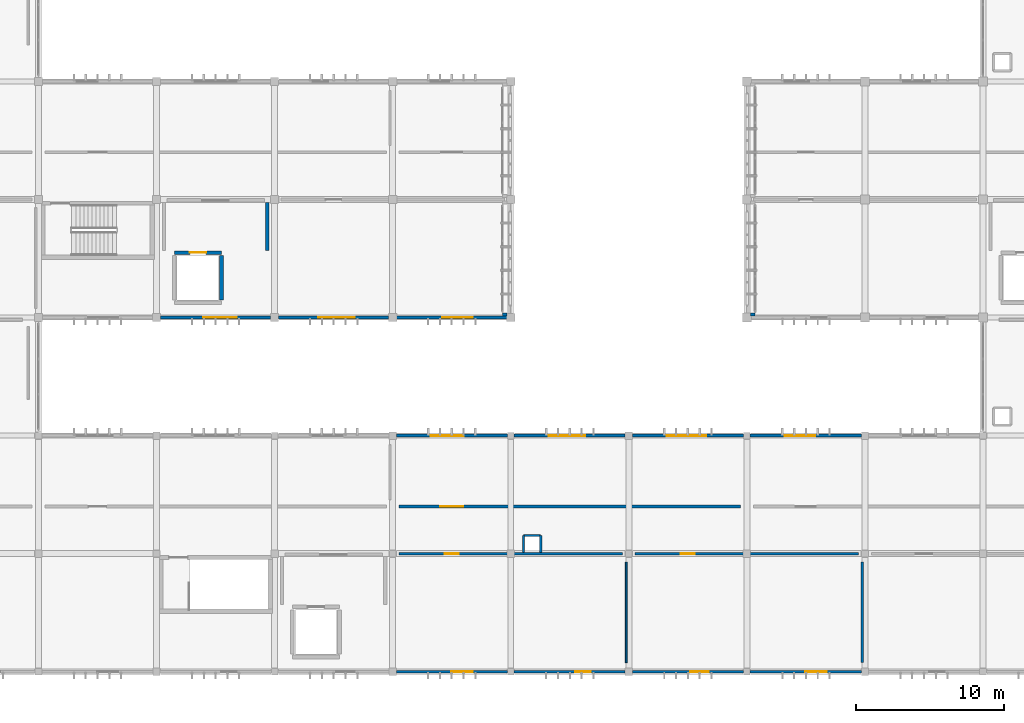
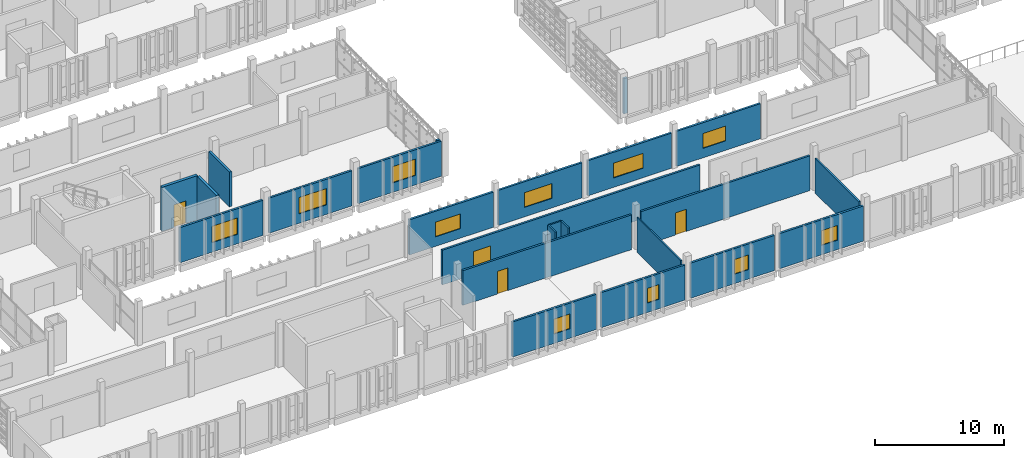
# One storey, part 47 of 63: 24 walls, 11 windows, 4 doors, 15 openings.
"""IFC4 building model written with IfcOpenShell, lengths in metres."""

from ifc_helpers import new_model, si_unit, direction, frame, frame_2d, origin, place, context, subcontext, project, spatial, rectangle, extrude, material, layer, layer_set, type_object, element, fill, save


model = new_model("IFC4")

# Units and contexts
model_context = context("Model", 3, precision=1e-05, world=origin(), true_north=direction((0.0, 1.0)))
body_context = subcontext(model_context, "Body", "Model", "MODEL_VIEW")
ifc_project = project(units=[si_unit("LENGTHUNIT", "METRE"), si_unit("AREAUNIT", "SQUARE_METRE"), si_unit("VOLUMEUNIT", "CUBIC_METRE"), si_unit("PLANEANGLEUNIT", "RADIAN"), si_unit("MASSUNIT", "GRAM", prefix="KILO")], contexts=[model_context])

# Site, building, storey
site_placement = place(None, origin())
site = spatial("IfcSite", under=ifc_project, at=site_placement, CompositionType="ELEMENT")
building_placement = place(site_placement, origin())
building = spatial("IfcBuilding", under=site, at=building_placement, Name="Jelvoka-Kovrelna Polytechnic", CompositionType="ELEMENT")
storey_placement = place(building_placement, frame((0.0, 0.0, 18.0)))
storey = spatial("IfcBuildingStorey", under=building, at=storey_placement, Name="L05", CompositionType="ELEMENT", Elevation=18.0)

# Wall
ifc_material_1 = material(Name="Concrete C35/45", Category="concrete")
ifc_layer_1 = layer(ifc_material_1, 0.219970703125)
ifc_layer_set_1 = layer_set([ifc_layer_1], Name="Concrete C35/45")
wall_type_1 = type_object("IfcWallType", Name="Wall_Compartment_220", PredefinedType="PARTITIONING", material=ifc_layer_set_1)
wall_1_placement = place(storey_placement, frame((95.5, 36.550048828125, 0.0), z_axis=(0.0, 0.0, 1.0), x_axis=(0.0, 1.0, 0.0)))
element("IfcWall", 1, at=wall_1_placement, inside=storey, type_object=wall_type_1, Name="L05 interior wall 0440", PredefinedType="PARTITIONING", context=body_context, shape_type="SweptSolid", body=[
    extrude(rectangle(XDim=3.25, YDim=0.219970703125, at=frame_2d((1.625, 0.0))), origin(), (0.0, 0.0, 1.0), 3.300048828125),
])

# Wall, opening, door
ifc_material_2 = material(Name="Concrete C40/50", Category="concrete")
ifc_layer_2 = layer(ifc_material_2, 0.25)
ifc_layer_set_2 = layer_set([ifc_layer_2], Name="Concrete C40/50")
wall_type_2 = type_object("IfcWallType", Name="Wall_Core_250", PredefinedType="SOLIDWALL", material=ifc_layer_set_2)
wall_2_placement = place(storey_placement, frame((89.199951171875, 36.39990234375, 0.0), z_axis=(0.0, 0.0, 1.0), x_axis=(1.0, 0.0, 0.0)))
wall_2 = element("IfcWall", 2, at=wall_2_placement, inside=storey, type_object=wall_type_2, Name="L05 interior wall 0435", PredefinedType="SOLIDWALL", context=body_context, shape_type="SweptSolid", body=[
    extrude(rectangle(XDim=3.199951171875, YDim=0.25, at=frame_2d((1.60009765625, 0.0))), origin(), (0.0, 0.0, 1.0), 4.199951171875),
])
opening_1_placement = place(wall_2_placement, frame((1.050048828125, 0.0, 0.0)))
opening_1 = element("IfcOpeningElement", 3, at=opening_1_placement, cuts=wall_2, Name="Opening LD-L05-24", PredefinedType="OPENING", context=body_context, shape_type="SweptSolid", body=[
    extrude(rectangle(XDim=1.10009765625, YDim=2.14990234375, at=frame_2d((0.550048828125, 1.074951171875))), frame((0.0, 0.135009765625, 0.0), z_axis=(0.0, -1.0, 0.0), x_axis=(1.0, 0.0, 0.0)), (0.0, 0.0, 1.0), 0.27001953125),
])
ifc_material_3 = material(Name="Brushed stainless steel sliding landing door", Category="steel")
door_type_1 = type_object("IfcDoorType", Name="Door_Lift_LD01", OperationType="NOTDEFINED", PredefinedType="DOOR", material=ifc_material_3)
door_1_placement = place(opening_1_placement, origin())
door_1 = element("IfcDoor", 4, at=door_1_placement, inside=storey, type_object=door_type_1, Name="L05 lift landing sliding door LD-L05-24", OperationType="DOUBLE_DOOR_SLIDING", OverallHeight=2.14990234375, OverallWidth=1.10009765625, PredefinedType="DOOR", context=body_context, shape_type="SweptSolid", body=[
    extrude(rectangle(XDim=1.10009765625, YDim=2.14990234375, at=frame_2d((0.550048828125, 1.074951171875))), frame((0.0, 0.02490234375, 0.0), z_axis=(0.0, -1.0, 0.0), x_axis=(1.0, 0.0, 0.0)), (0.0, 0.0, 1.0), 0.050048828125),
])
fill(opening_1, door_1)

# Wall
wall_3_placement = place(storey_placement, frame((92.39990234375, 33.199951171875, 0.0), z_axis=(0.0, 0.0, 1.0), x_axis=(0.0, 1.0, 0.0)))
element("IfcWall", 5, at=wall_3_placement, inside=storey, type_object=wall_type_2, Name="L05 interior wall 0437", PredefinedType="SOLIDWALL", context=body_context, shape_type="SweptSolid", body=[
    extrude(rectangle(XDim=3.0, YDim=0.25, at=frame_2d((1.5, 0.0))), origin(), (0.0, 0.0, 1.0), 4.199951171875),
])

# Wall, opening, door
ifc_material_4 = material(Name="Autoclaved aerated concrete blockwork", Category="masonry")
ifc_layer_3 = layer(ifc_material_4, 0.179931640625)
ifc_layer_set_3 = layer_set([ifc_layer_3], Name="Autoclaved aerated concrete blockwork")
wall_type_3 = type_object("IfcWallType", Name="Wall_Corridor_180", PredefinedType="PARTITIONING", material=ifc_layer_set_3)
wall_4_placement = place(storey_placement, frame((104.429931640625, 16.0, 0.0), z_axis=(0.0, 0.0, 1.0), x_axis=(1.0, 0.0, 0.0)))
wall_4 = element("IfcWall", 6, at=wall_4_placement, inside=storey, type_object=wall_type_3, Name="L05 interior wall 1178", PredefinedType="PARTITIONING", context=body_context, shape_type="SweptSolid", body=[
    extrude(rectangle(XDim=15.14013671875, YDim=0.179931640625, at=frame_2d((7.570068359375, 0.0))), origin(), (0.0, 0.0, 1.0), 3.300048828125),
])
opening_2_placement = place(wall_4_placement, frame((3.110107421875, 0.0, 0.0)))
opening_2 = element("IfcOpeningElement", 7, at=opening_2_placement, cuts=wall_4, Name="Opening D-L05-374", PredefinedType="OPENING", context=body_context, shape_type="SweptSolid", body=[
    extrude(rectangle(XDim=0.919921875, YDim=2.14990234375, at=frame_2d((0.4599609375, 1.074951171875))), frame((0.0, 0.099853515625, 0.0), z_axis=(0.0, -1.0, 0.0), x_axis=(1.0, 0.0, 0.0)), (0.0, 0.0, 1.0), 0.199951171875),
])
ifc_material_5 = material(Name="Hardwood solid-core door", Category="wood")
door_type_2 = type_object("IfcDoorType", Name="Door_Int_D06", OperationType="NOTDEFINED", PredefinedType="DOOR", material=ifc_material_5)
door_2_placement = place(opening_2_placement, origin())
door_2 = element("IfcDoor", 8, at=door_2_placement, inside=storey, type_object=door_type_2, Name="L05 interior door D-L05-374", OperationType="SINGLE_SWING_LEFT", OverallHeight=2.14990234375, OverallWidth=0.919921875, PredefinedType="DOOR", context=body_context, shape_type="SweptSolid", body=[
    extrude(rectangle(XDim=0.919921875, YDim=2.14990234375, at=frame_2d((0.4599609375, 1.074951171875))), frame((0.0, 0.02490234375, 0.0), z_axis=(0.0, -1.0, 0.0), x_axis=(1.0, 0.0, 0.0)), (0.0, 0.0, 1.0), 0.050048828125),
])
fill(opening_2, door_2)

wall_5_placement = place(storey_placement, frame((120.429931640625, 16.0, 0.0), z_axis=(0.0, 0.0, 1.0), x_axis=(1.0, 0.0, 0.0)))
wall_5 = element("IfcWall", 9, at=wall_5_placement, inside=storey, type_object=wall_type_3, Name="L05 interior wall 1180", PredefinedType="PARTITIONING", context=body_context, shape_type="SweptSolid", body=[
    extrude(rectangle(XDim=15.14013671875, YDim=0.179931640625, at=frame_2d((7.570068359375, 0.0))), origin(), (0.0, 0.0, 1.0), 3.300048828125),
])
opening_3_placement = place(wall_5_placement, frame((3.094970703125, 0.0, 0.0)))
opening_3 = element("IfcOpeningElement", 10, at=opening_3_placement, cuts=wall_5, Name="Opening D-L05-375", PredefinedType="OPENING", context=body_context, shape_type="SweptSolid", body=[
    extrude(rectangle(XDim=0.949951171875, YDim=2.10009765625, at=frame_2d((0.47509765625, 1.050048828125))), frame((0.0, 0.099853515625, 0.0), z_axis=(0.0, -1.0, 0.0), x_axis=(1.0, 0.0, 0.0)), (0.0, 0.0, 1.0), 0.199951171875),
])
ifc_material_6 = material(Name="Hardwood fire-resisting laboratory door", Category="wood")
door_type_3 = type_object("IfcDoorType", Name="Door_Fire_FD30_01", OperationType="NOTDEFINED", PredefinedType="DOOR", material=ifc_material_6)
door_3_placement = place(opening_3_placement, origin())
door_3 = element("IfcDoor", 11, at=door_3_placement, inside=storey, type_object=door_type_3, Name="L05 interior door D-L05-375", OperationType="SINGLE_SWING_RIGHT", OverallHeight=2.10009765625, OverallWidth=0.949951171875, PredefinedType="DOOR", context=body_context, shape_type="SweptSolid", body=[
    extrude(rectangle(XDim=0.949951171875, YDim=2.10009765625, at=frame_2d((0.47509765625, 1.050048828125))), frame((0.0, 0.02490234375, 0.0), z_axis=(0.0, -1.0, 0.0), x_axis=(1.0, 0.0, 0.0)), (0.0, 0.0, 1.0), 0.050048828125),
])
fill(opening_3, door_3)

wall_6_placement = place(storey_placement, frame((104.429931640625, 19.199951171875, 0.0), z_axis=(0.0, 0.0, 1.0), x_axis=(1.0, 0.0, 0.0)))
wall_6 = element("IfcWall", 12, at=wall_6_placement, inside=storey, type_object=wall_type_3, Name="L05 interior wall 1186", PredefinedType="PARTITIONING", context=body_context, shape_type="SweptSolid", body=[
    extrude(rectangle(XDim=23.14013671875, YDim=0.179931640625, at=frame_2d((11.570068359375, 0.0))), origin(), (0.0, 0.0, 1.0), 3.300048828125),
])
opening_4_placement = place(wall_6_placement, frame((2.800048828125, 0.0, 0.0)))
opening_4 = element("IfcOpeningElement", 13, at=opening_4_placement, cuts=wall_6, Name="Opening D-L05-379", PredefinedType="OPENING", context=body_context, shape_type="SweptSolid", body=[
    extrude(rectangle(XDim=1.5400390625, YDim=2.199951171875, at=frame_2d((0.77001953125, 1.10009765625))), frame((0.0, 0.099853515625, 0.0), z_axis=(0.0, -1.0, 0.0), x_axis=(1.0, 0.0, 0.0)), (0.0, 0.0, 1.0), 0.199951171875),
])
ifc_material_7 = material(Name="Paired hardwood fire-resisting library door", Category="wood")
door_type_4 = type_object("IfcDoorType", Name="Door_Fire_FD30_07", OperationType="NOTDEFINED", PredefinedType="DOOR", material=ifc_material_7)
door_4_placement = place(opening_4_placement, origin())
door_4 = element("IfcDoor", 14, at=door_4_placement, inside=storey, type_object=door_type_4, Name="L05 interior door D-L05-379", OperationType="DOUBLE_DOOR_SINGLE_SWING", OverallHeight=2.199951171875, OverallWidth=1.5400390625, PredefinedType="DOOR", context=body_context, shape_type="SweptSolid", body=[
    extrude(rectangle(XDim=1.5400390625, YDim=2.199951171875, at=frame_2d((0.77001953125, 1.10009765625))), frame((0.0, 0.02490234375, 0.0), z_axis=(0.0, -1.0, 0.0), x_axis=(1.0, 0.0, 0.0)), (0.0, 0.0, 1.0), 0.050048828125),
])
fill(opening_4, door_4)

# Wall, opening, window
ifc_material_8 = material(Name="Precast concrete C40/50", Category="concrete")
ifc_layer_4 = layer(ifc_material_8, 0.18505859375)
ifc_layer_set_4 = layer_set([ifc_layer_4], Name="Precast concrete C40/50")
wall_type_4 = type_object("IfcWallType", Name="Wall_Ext_White_260", PredefinedType="STANDARD", material=ifc_layer_set_4)
wall_7_placement = place(storey_placement, frame((111.778076171875, 8.0, 0.0), z_axis=(0.0, 0.0, 1.0), x_axis=(-1.0, 0.0, 0.0)))
wall_7 = element("IfcWall", 15, at=wall_7_placement, inside=storey, type_object=wall_type_4, Name="L05 exterior wall 0347", PredefinedType="STANDARD", context=body_context, shape_type="SweptSolid", body=[
    extrude(rectangle(XDim=7.531005859375, YDim=0.18505859375, at=frame_2d((3.765625, 0.0))), origin(), (0.0, 0.0, 1.0), 3.3349609375),
])
opening_5_placement = place(wall_7_placement, frame((2.35791015625, 0.0, 0.89990234375)))
opening_5 = element("IfcOpeningElement", 16, at=opening_5_placement, cuts=wall_7, Name="Opening W-L05-101", PredefinedType="OPENING", context=body_context, shape_type="SweptSolid", body=[
    extrude(rectangle(XDim=1.449951171875, YDim=1.39990234375, at=frame_2d((0.72509765625, 0.699951171875))), frame((0.0, 0.1025390625, 0.0), z_axis=(0.0, -1.0, 0.0), x_axis=(1.0, 0.0, 0.0)), (0.0, 0.0, 1.0), 0.205078125),
])
ifc_material_9 = material(Name="Thermally broken anodised aluminium and low-e glazing", Category="aluminium")
window_type_1 = type_object("IfcWindowType", Name="Win_Casement_W13", PartitioningType="SINGLE_PANEL", PredefinedType="WINDOW", material=ifc_material_9)
window_1_placement = place(opening_5_placement, origin())
window_1 = element("IfcWindow", 17, at=window_1_placement, inside=storey, type_object=window_type_1, Name="L05 aluminium casement window W-L05-101", OverallHeight=1.39990234375, OverallWidth=1.449951171875, PartitioningType="SINGLE_PANEL", PredefinedType="WINDOW", context=body_context, shape_type="SweptSolid", body=[
    extrude(rectangle(XDim=1.449951171875, YDim=1.39990234375, at=frame_2d((0.72509765625, 0.699951171875))), frame((0.0, 0.030029296875, 0.0), z_axis=(0.0, -1.0, 0.0), x_axis=(1.0, 0.0, 0.0)), (0.0, 0.0, 1.0), 0.06005859375),
])
fill(opening_5, window_1)

wall_8_placement = place(storey_placement, frame((104.2470703125, 24.0, 0.0), z_axis=(0.0, 0.0, 1.0), x_axis=(1.0, 0.0, 0.0)))
wall_8 = element("IfcWall", 18, at=wall_8_placement, inside=storey, type_object=wall_type_4, Name="L05 exterior wall 0348", PredefinedType="STANDARD", context=body_context, shape_type="SweptSolid", body=[
    extrude(rectangle(XDim=7.531005859375, YDim=0.18505859375, at=frame_2d((3.765625, 0.0))), origin(), (0.0, 0.0, 1.0), 3.3349609375),
])
opening_6_placement = place(wall_8_placement, frame((2.3330078125, 0.0, 0.89990234375)))
opening_6 = element("IfcOpeningElement", 19, at=opening_6_placement, cuts=wall_8, Name="Opening W-L05-102", PredefinedType="OPENING", context=body_context, shape_type="SweptSolid", body=[
    extrude(rectangle(XDim=2.25, YDim=1.39990234375, at=frame_2d((1.125, 0.699951171875))), frame((0.0, 0.1025390625, 0.0), z_axis=(0.0, -1.0, 0.0), x_axis=(1.0, 0.0, 0.0)), (0.0, 0.0, 1.0), 0.205078125),
])
ifc_material_10 = material(Name="Thermally broken anodised aluminium and low-e glazing", Category="aluminium")
window_type_2 = type_object("IfcWindowType", Name="Win_Casement_W17", PartitioningType="DOUBLE_PANEL_VERTICAL", PredefinedType="WINDOW", material=ifc_material_10)
window_2_placement = place(opening_6_placement, origin())
window_2 = element("IfcWindow", 20, at=window_2_placement, inside=storey, type_object=window_type_2, Name="L05 aluminium casement window W-L05-102", OverallHeight=1.39990234375, OverallWidth=2.25, PartitioningType="DOUBLE_PANEL_VERTICAL", PredefinedType="WINDOW", context=body_context, shape_type="SweptSolid", body=[
    extrude(rectangle(XDim=2.25, YDim=1.39990234375, at=frame_2d((1.125, 0.699951171875))), frame((0.0, 0.030029296875, 0.0), z_axis=(0.0, -1.0, 0.0), x_axis=(1.0, 0.0, 0.0)), (0.0, 0.0, 1.0), 0.06005859375),
])
fill(opening_6, window_2)

wall_9_placement = place(storey_placement, frame((119.7529296875, 8.0, 0.0), z_axis=(0.0, 0.0, 1.0), x_axis=(-1.0, 0.0, 0.0)))
wall_9 = element("IfcWall", 21, at=wall_9_placement, inside=storey, type_object=wall_type_4, Name="L05 exterior wall 0349", PredefinedType="STANDARD", context=body_context, shape_type="SweptSolid", body=[
    extrude(rectangle(XDim=7.531005859375, YDim=0.18505859375, at=frame_2d((3.765625, 0.0))), origin(), (0.0, 0.0, 1.0), 3.3349609375),
])
opening_7_placement = place(wall_9_placement, frame((2.3330078125, 0.0, 0.89990234375)))
opening_7 = element("IfcOpeningElement", 22, at=opening_7_placement, cuts=wall_9, Name="Opening W-L05-103", PredefinedType="OPENING", context=body_context, shape_type="SweptSolid", body=[
    extrude(rectangle(XDim=1.050048828125, YDim=1.39990234375, at=frame_2d((0.52490234375, 0.699951171875))), frame((0.0, 0.1025390625, 0.0), z_axis=(0.0, -1.0, 0.0), x_axis=(1.0, 0.0, 0.0)), (0.0, 0.0, 1.0), 0.205078125),
])
ifc_material_11 = material(Name="Thermally broken anodised aluminium and low-e glazing", Category="aluminium")
window_type_3 = type_object("IfcWindowType", Name="Win_Casement_W11", PartitioningType="SINGLE_PANEL", PredefinedType="WINDOW", material=ifc_material_11)
window_3_placement = place(opening_7_placement, origin())
window_3 = element("IfcWindow", 23, at=window_3_placement, inside=storey, type_object=window_type_3, Name="L05 aluminium casement window W-L05-103", OverallHeight=1.39990234375, OverallWidth=1.050048828125, PartitioningType="SINGLE_PANEL", PredefinedType="WINDOW", context=body_context, shape_type="SweptSolid", body=[
    extrude(rectangle(XDim=1.050048828125, YDim=1.39990234375, at=frame_2d((0.52490234375, 0.699951171875))), frame((0.0, 0.030029296875, 0.0), z_axis=(0.0, -1.0, 0.0), x_axis=(1.0, 0.0, 0.0)), (0.0, 0.0, 1.0), 0.06005859375),
])
fill(opening_7, window_3)

wall_10_placement = place(storey_placement, frame((112.221923828125, 24.0, 0.0), z_axis=(0.0, 0.0, 1.0), x_axis=(1.0, 0.0, 0.0)))
wall_10 = element("IfcWall", 24, at=wall_10_placement, inside=storey, type_object=wall_type_4, Name="L05 exterior wall 0350", PredefinedType="STANDARD", context=body_context, shape_type="SweptSolid", body=[
    extrude(rectangle(XDim=7.531005859375, YDim=0.18505859375, at=frame_2d((3.765625, 0.0))), origin(), (0.0, 0.0, 1.0), 3.3349609375),
])
opening_8_placement = place(wall_10_placement, frame((2.35791015625, 0.0, 0.89990234375)))
opening_8 = element("IfcOpeningElement", 25, at=opening_8_placement, cuts=wall_10, Name="Opening W-L05-104", PredefinedType="OPENING", context=body_context, shape_type="SweptSolid", body=[
    extrude(rectangle(XDim=2.449951171875, YDim=1.39990234375, at=frame_2d((1.22509765625, 0.699951171875))), frame((0.0, 0.1025390625, 0.0), z_axis=(0.0, -1.0, 0.0), x_axis=(1.0, 0.0, 0.0)), (0.0, 0.0, 1.0), 0.205078125),
])
ifc_material_12 = material(Name="Thermally broken anodised aluminium and low-e glazing", Category="aluminium")
window_type_4 = type_object("IfcWindowType", Name="Win_Casement_W18", PartitioningType="DOUBLE_PANEL_VERTICAL", PredefinedType="WINDOW", material=ifc_material_12)
window_4_placement = place(opening_8_placement, origin())
window_4 = element("IfcWindow", 26, at=window_4_placement, inside=storey, type_object=window_type_4, Name="L05 aluminium casement window W-L05-104", OverallHeight=1.39990234375, OverallWidth=2.449951171875, PartitioningType="DOUBLE_PANEL_VERTICAL", PredefinedType="WINDOW", context=body_context, shape_type="SweptSolid", body=[
    extrude(rectangle(XDim=2.449951171875, YDim=1.39990234375, at=frame_2d((1.22509765625, 0.699951171875))), frame((0.0, 0.030029296875, 0.0), z_axis=(0.0, -1.0, 0.0), x_axis=(1.0, 0.0, 0.0)), (0.0, 0.0, 1.0), 0.06005859375),
])
fill(opening_8, window_4)

wall_11_placement = place(storey_placement, frame((127.778076171875, 8.0, 0.0), z_axis=(0.0, 0.0, 1.0), x_axis=(-1.0, 0.0, 0.0)))
wall_11 = element("IfcWall", 27, at=wall_11_placement, inside=storey, type_object=wall_type_4, Name="L05 exterior wall 0351", PredefinedType="STANDARD", context=body_context, shape_type="SweptSolid", body=[
    extrude(rectangle(XDim=7.531005859375, YDim=0.18505859375, at=frame_2d((3.765625, 0.0))), origin(), (0.0, 0.0, 1.0), 3.3349609375),
])
opening_9_placement = place(wall_11_placement, frame((2.35791015625, 0.0, 0.89990234375)))
opening_9 = element("IfcOpeningElement", 28, at=opening_9_placement, cuts=wall_11, Name="Opening W-L05-105", PredefinedType="OPENING", context=body_context, shape_type="SweptSolid", body=[
    extrude(rectangle(XDim=1.25, YDim=1.39990234375, at=frame_2d((0.625, 0.699951171875))), frame((0.0, 0.1025390625, 0.0), z_axis=(0.0, -1.0, 0.0), x_axis=(1.0, 0.0, 0.0)), (0.0, 0.0, 1.0), 0.205078125),
])
ifc_material_13 = material(Name="Thermally broken anodised aluminium and low-e glazing", Category="aluminium")
window_type_5 = type_object("IfcWindowType", Name="Win_Casement_W12", PartitioningType="SINGLE_PANEL", PredefinedType="WINDOW", material=ifc_material_13)
window_5_placement = place(opening_9_placement, origin())
window_5 = element("IfcWindow", 29, at=window_5_placement, inside=storey, type_object=window_type_5, Name="L05 aluminium casement window W-L05-105", OverallHeight=1.39990234375, OverallWidth=1.25, PartitioningType="SINGLE_PANEL", PredefinedType="WINDOW", context=body_context, shape_type="SweptSolid", body=[
    extrude(rectangle(XDim=1.25, YDim=1.39990234375, at=frame_2d((0.625, 0.699951171875))), frame((0.0, 0.030029296875, 0.0), z_axis=(0.0, -1.0, 0.0), x_axis=(1.0, 0.0, 0.0)), (0.0, 0.0, 1.0), 0.06005859375),
])
fill(opening_9, window_5)

wall_12_placement = place(storey_placement, frame((120.2470703125, 24.0, 0.0), z_axis=(0.0, 0.0, 1.0), x_axis=(1.0, 0.0, 0.0)))
wall_12 = element("IfcWall", 30, at=wall_12_placement, inside=storey, type_object=wall_type_4, Name="L05 exterior wall 0352", PredefinedType="STANDARD", context=body_context, shape_type="SweptSolid", body=[
    extrude(rectangle(XDim=7.531005859375, YDim=0.18505859375, at=frame_2d((3.765625, 0.0))), origin(), (0.0, 0.0, 1.0), 3.3349609375),
])
opening_10_placement = place(wall_12_placement, frame((2.3330078125, 0.0, 0.89990234375)))
opening_10 = element("IfcOpeningElement", 31, at=opening_10_placement, cuts=wall_12, Name="Opening W-L05-106", PredefinedType="OPENING", context=body_context, shape_type="SweptSolid", body=[
    extrude(rectangle(XDim=2.64990234375, YDim=1.39990234375, at=frame_2d((1.324951171875, 0.699951171875))), frame((0.0, 0.1025390625, 0.0), z_axis=(0.0, -1.0, 0.0), x_axis=(1.0, 0.0, 0.0)), (0.0, 0.0, 1.0), 0.205078125),
])
ifc_material_14 = material(Name="Thermally broken anodised aluminium and low-e glazing", Category="aluminium")
window_type_6 = type_object("IfcWindowType", Name="Win_Casement_W19", PartitioningType="DOUBLE_PANEL_VERTICAL", PredefinedType="WINDOW", material=ifc_material_14)
window_6_placement = place(opening_10_placement, origin())
window_6 = element("IfcWindow", 32, at=window_6_placement, inside=storey, type_object=window_type_6, Name="L05 aluminium casement window W-L05-106", OverallHeight=1.39990234375, OverallWidth=2.64990234375, PartitioningType="DOUBLE_PANEL_VERTICAL", PredefinedType="WINDOW", context=body_context, shape_type="SweptSolid", body=[
    extrude(rectangle(XDim=2.64990234375, YDim=1.39990234375, at=frame_2d((1.324951171875, 0.699951171875))), frame((0.0, 0.030029296875, 0.0), z_axis=(0.0, -1.0, 0.0), x_axis=(1.0, 0.0, 0.0)), (0.0, 0.0, 1.0), 0.06005859375),
])
fill(opening_10, window_6)

wall_13_placement = place(storey_placement, frame((135.7529296875, 8.0, 0.0), z_axis=(0.0, 0.0, 1.0), x_axis=(-1.0, 0.0, 0.0)))
wall_13 = element("IfcWall", 33, at=wall_13_placement, inside=storey, type_object=wall_type_4, Name="L05 exterior wall 0353", PredefinedType="STANDARD", context=body_context, shape_type="SweptSolid", body=[
    extrude(rectangle(XDim=7.531005859375, YDim=0.18505859375, at=frame_2d((3.765625, 0.0))), origin(), (0.0, 0.0, 1.0), 3.3349609375),
])
opening_11_placement = place(wall_13_placement, frame((2.3330078125, 0.0, 0.89990234375)))
opening_11 = element("IfcOpeningElement", 34, at=opening_11_placement, cuts=wall_13, Name="Opening W-L05-107", PredefinedType="OPENING", context=body_context, shape_type="SweptSolid", body=[
    extrude(rectangle(XDim=1.449951171875, YDim=1.39990234375, at=frame_2d((0.72509765625, 0.699951171875))), frame((0.0, 0.1025390625, 0.0), z_axis=(0.0, -1.0, 0.0), x_axis=(1.0, 0.0, 0.0)), (0.0, 0.0, 1.0), 0.205078125),
])
window_7_placement = place(opening_11_placement, origin())
window_7 = element("IfcWindow", 35, at=window_7_placement, inside=storey, type_object=window_type_1, Name="L05 aluminium casement window W-L05-107", OverallHeight=1.39990234375, OverallWidth=1.449951171875, PartitioningType="SINGLE_PANEL", PredefinedType="WINDOW", context=body_context, shape_type="SweptSolid", body=[
    extrude(rectangle(XDim=1.449951171875, YDim=1.39990234375, at=frame_2d((0.72509765625, 0.699951171875))), frame((0.0, 0.030029296875, 0.0), z_axis=(0.0, -1.0, 0.0), x_axis=(1.0, 0.0, 0.0)), (0.0, 0.0, 1.0), 0.06005859375),
])
fill(opening_11, window_7)

wall_14_placement = place(storey_placement, frame((128.221923828125, 24.0, 0.0), z_axis=(0.0, 0.0, 1.0), x_axis=(1.0, 0.0, 0.0)))
wall_14 = element("IfcWall", 36, at=wall_14_placement, inside=storey, type_object=wall_type_4, Name="L05 exterior wall 0354", PredefinedType="STANDARD", context=body_context, shape_type="SweptSolid", body=[
    extrude(rectangle(XDim=7.531005859375, YDim=0.18505859375, at=frame_2d((3.765625, 0.0))), origin(), (0.0, 0.0, 1.0), 3.3349609375),
])
opening_12_placement = place(wall_14_placement, frame((2.35791015625, 0.0, 0.89990234375)))
opening_12 = element("IfcOpeningElement", 37, at=opening_12_placement, cuts=wall_14, Name="Opening W-L05-108", PredefinedType="OPENING", context=body_context, shape_type="SweptSolid", body=[
    extrude(rectangle(XDim=2.050048828125, YDim=1.39990234375, at=frame_2d((1.02490234375, 0.699951171875))), frame((0.0, 0.1025390625, 0.0), z_axis=(0.0, -1.0, 0.0), x_axis=(1.0, 0.0, 0.0)), (0.0, 0.0, 1.0), 0.205078125),
])
ifc_material_15 = material(Name="Thermally broken anodised aluminium and low-e glazing", Category="aluminium")
window_type_7 = type_object("IfcWindowType", Name="Win_Casement_W16", PartitioningType="DOUBLE_PANEL_VERTICAL", PredefinedType="WINDOW", material=ifc_material_15)
window_8_placement = place(opening_12_placement, origin())
window_8 = element("IfcWindow", 38, at=window_8_placement, inside=storey, type_object=window_type_7, Name="L05 aluminium casement window W-L05-108", OverallHeight=1.39990234375, OverallWidth=2.050048828125, PartitioningType="DOUBLE_PANEL_VERTICAL", PredefinedType="WINDOW", context=body_context, shape_type="SweptSolid", body=[
    extrude(rectangle(XDim=2.050048828125, YDim=1.39990234375, at=frame_2d((1.02490234375, 0.699951171875))), frame((0.0, 0.030029296875, 0.0), z_axis=(0.0, -1.0, 0.0), x_axis=(1.0, 0.0, 0.0)), (0.0, 0.0, 1.0), 0.06005859375),
])
fill(opening_12, window_8)

wall_15_placement = place(storey_placement, frame((95.72802734375, 32.0, 0.0), z_axis=(0.0, 0.0, 1.0), x_axis=(-1.0, 0.0, 0.0)))
wall_15 = element("IfcWall", 39, at=wall_15_placement, inside=storey, type_object=wall_type_4, Name="L05 exterior wall 0418", PredefinedType="STANDARD", context=body_context, shape_type="SweptSolid", body=[
    extrude(rectangle(XDim=7.4560546875, YDim=0.18505859375, at=frame_2d((3.72802734375, 0.0))), origin(), (0.0, 0.0, 1.0), 3.3349609375),
])
opening_13_placement = place(wall_15_placement, frame((2.30810546875, 0.0, 0.89990234375)))
opening_13 = element("IfcOpeningElement", 40, at=opening_13_placement, cuts=wall_15, Name="Opening W-L05-151", PredefinedType="OPENING", context=body_context, shape_type="SweptSolid", body=[
    extrude(rectangle(XDim=2.25, YDim=1.550048828125, at=frame_2d((1.125, 0.77490234375))), frame((0.0, 0.1025390625, 0.0), z_axis=(0.0, -1.0, 0.0), x_axis=(1.0, 0.0, 0.0)), (0.0, 0.0, 1.0), 0.205078125),
])
ifc_material_16 = material(Name="Thermally broken anodised aluminium and low-e glazing", Category="aluminium")
window_type_8 = type_object("IfcWindowType", Name="Win_Casement_W27", PartitioningType="DOUBLE_PANEL_VERTICAL", PredefinedType="WINDOW", material=ifc_material_16)
window_9_placement = place(opening_13_placement, origin())
window_9 = element("IfcWindow", 41, at=window_9_placement, inside=storey, type_object=window_type_8, Name="L05 aluminium casement window W-L05-151", OverallHeight=1.550048828125, OverallWidth=2.25, PartitioningType="DOUBLE_PANEL_VERTICAL", PredefinedType="WINDOW", context=body_context, shape_type="SweptSolid", body=[
    extrude(rectangle(XDim=2.25, YDim=1.550048828125, at=frame_2d((1.125, 0.77490234375))), frame((0.0, 0.030029296875, 0.0), z_axis=(0.0, -1.0, 0.0), x_axis=(1.0, 0.0, 0.0)), (0.0, 0.0, 1.0), 0.06005859375),
])
fill(opening_13, window_9)

wall_16_placement = place(storey_placement, frame((103.72802734375, 32.0, 0.0), z_axis=(0.0, 0.0, 1.0), x_axis=(-1.0, 0.0, 0.0)))
wall_16 = element("IfcWall", 42, at=wall_16_placement, inside=storey, type_object=wall_type_4, Name="L05 exterior wall 0420", PredefinedType="STANDARD", context=body_context, shape_type="SweptSolid", body=[
    extrude(rectangle(XDim=7.4560546875, YDim=0.18505859375, at=frame_2d((3.72802734375, 0.0))), origin(), (0.0, 0.0, 1.0), 3.3349609375),
])
opening_14_placement = place(wall_16_placement, frame((2.30810546875, 0.0, 0.89990234375)))
opening_14 = element("IfcOpeningElement", 43, at=opening_14_placement, cuts=wall_16, Name="Opening W-L05-153", PredefinedType="OPENING", context=body_context, shape_type="SweptSolid", body=[
    extrude(rectangle(XDim=2.449951171875, YDim=1.550048828125, at=frame_2d((1.22509765625, 0.77490234375))), frame((0.0, 0.1025390625, 0.0), z_axis=(0.0, -1.0, 0.0), x_axis=(1.0, 0.0, 0.0)), (0.0, 0.0, 1.0), 0.205078125),
])
ifc_material_17 = material(Name="Thermally broken anodised aluminium and low-e glazing", Category="aluminium")
window_type_9 = type_object("IfcWindowType", Name="Win_Casement_W28", PartitioningType="DOUBLE_PANEL_VERTICAL", PredefinedType="WINDOW", material=ifc_material_17)
window_10_placement = place(opening_14_placement, origin())
window_10 = element("IfcWindow", 44, at=window_10_placement, inside=storey, type_object=window_type_9, Name="L05 aluminium casement window W-L05-153", OverallHeight=1.550048828125, OverallWidth=2.449951171875, PartitioningType="DOUBLE_PANEL_VERTICAL", PredefinedType="WINDOW", context=body_context, shape_type="SweptSolid", body=[
    extrude(rectangle(XDim=2.449951171875, YDim=1.550048828125, at=frame_2d((1.22509765625, 0.77490234375))), frame((0.0, 0.030029296875, 0.0), z_axis=(0.0, -1.0, 0.0), x_axis=(1.0, 0.0, 0.0)), (0.0, 0.0, 1.0), 0.06005859375),
])
fill(opening_14, window_10)

wall_17_placement = place(storey_placement, frame((111.72802734375, 32.0, 0.0), z_axis=(0.0, 0.0, 1.0), x_axis=(-1.0, 0.0, 0.0)))
wall_17 = element("IfcWall", 45, at=wall_17_placement, inside=storey, type_object=wall_type_4, Name="L05 exterior wall 0422", PredefinedType="STANDARD", context=body_context, shape_type="SweptSolid", body=[
    extrude(rectangle(XDim=7.4560546875, YDim=0.18505859375, at=frame_2d((3.72802734375, 0.0))), origin(), (0.0, 0.0, 1.0), 3.3349609375),
])
opening_15_placement = place(wall_17_placement, frame((2.30810546875, 0.0, 0.89990234375)))
opening_15 = element("IfcOpeningElement", 46, at=opening_15_placement, cuts=wall_17, Name="Opening W-L05-155", PredefinedType="OPENING", context=body_context, shape_type="SweptSolid", body=[
    extrude(rectangle(XDim=2.050048828125, YDim=1.550048828125, at=frame_2d((1.02490234375, 0.77490234375))), frame((0.0, 0.1025390625, 0.0), z_axis=(0.0, -1.0, 0.0), x_axis=(1.0, 0.0, 0.0)), (0.0, 0.0, 1.0), 0.205078125),
])
ifc_material_18 = material(Name="Thermally broken anodised aluminium and low-e glazing", Category="aluminium")
window_type_10 = type_object("IfcWindowType", Name="Win_Casement_W26", PartitioningType="DOUBLE_PANEL_VERTICAL", PredefinedType="WINDOW", material=ifc_material_18)
window_11_placement = place(opening_15_placement, origin())
window_11 = element("IfcWindow", 47, at=window_11_placement, inside=storey, type_object=window_type_10, Name="L05 aluminium casement window W-L05-155", OverallHeight=1.550048828125, OverallWidth=2.050048828125, PartitioningType="DOUBLE_PANEL_VERTICAL", PredefinedType="WINDOW", context=body_context, shape_type="SweptSolid", body=[
    extrude(rectangle(XDim=2.050048828125, YDim=1.550048828125, at=frame_2d((1.02490234375, 0.77490234375))), frame((0.0, 0.030029296875, 0.0), z_axis=(0.0, -1.0, 0.0), x_axis=(1.0, 0.0, 0.0)), (0.0, 0.0, 1.0), 0.06005859375),
])
fill(opening_15, window_11)

# Walls
ifc_material_19 = material(Name="Precast concrete C40/50", Category="concrete")
ifc_layer_5 = layer(ifc_material_19, 0.199951171875)
ifc_layer_set_5 = layer_set([ifc_layer_5], Name="Precast concrete C40/50")
wall_type_5 = type_object("IfcWallType", Name="Wall_Parapet_200", PredefinedType="PARAPET", material=ifc_layer_set_5)
for number, where, z_axis, x_axis, name in (
    (48, (111.760009765625, 32.219970703125, 0.0), (0.0, 0.0, 1.0), (-1.0, 0.0, 0.0), "L05 exterior wall 0424"),
    (49, (128.239990234375, 32.219970703125, 0.0), (0.0, 0.0, 1.0), (1.0, 0.0, 0.0), "L05 exterior wall 0522"),
):
    element("IfcWall", number, at=place(storey_placement, frame(where, z_axis=z_axis, x_axis=x_axis)), inside=storey, type_object=wall_type_5, Name=name, PredefinedType="PARAPET", context=body_context, shape_type="SweptSolid", body=[
        extrude(rectangle(XDim=0.320068359375, YDim=0.199951171875, at=frame_2d((0.16015625, 0.0))), origin(), (0.0, 0.0, 1.0), 3.35009765625),
    ])
ifc_material_20 = material(Name="Acoustic gypsum stud partition")
ifc_layer_6 = layer(ifc_material_20, 0.125)
ifc_layer_set_6 = layer_set([ifc_layer_6], Name="Acoustic gypsum stud partition")
wall_type_6 = type_object("IfcWallType", Name="Wall_Partition_125", PredefinedType="PARTITIONING", material=ifc_layer_set_6)
wall_18_placement = place(storey_placement, frame((119.820068359375, 8.6201171875, 0.0), z_axis=(0.0, 0.0, 1.0), x_axis=(0.0, 1.0, 0.0)))
element("IfcWall", 50, at=wall_18_placement, inside=storey, type_object=wall_type_6, Name="L05 interior wall 1179", PredefinedType="PARTITIONING", context=body_context, shape_type="SweptSolid", body=[
    extrude(rectangle(XDim=6.809814453125, YDim=0.125, at=frame_2d((3.40478515625, 0.0))), origin(), (0.0, 0.0, 1.0), 3.300048828125),
])
ifc_material_21 = material(Name="Autoclaved aerated concrete blockwork", Category="masonry")
ifc_layer_7 = layer(ifc_material_21, 0.14990234375)
ifc_layer_set_7 = layer_set([ifc_layer_7], Name="Autoclaved aerated concrete blockwork")
wall_type_7 = type_object("IfcWallType", Name="Wall_Partition_150", PredefinedType="PARTITIONING", material=ifc_layer_set_7)
wall_19_placement = place(storey_placement, frame((114.030029296875, 16.090087890625, 0.0), z_axis=(0.0, 0.0, 1.0), x_axis=(0.0, 1.0, 0.0)))
element("IfcWall", 51, at=wall_19_placement, inside=storey, type_object=wall_type_7, Name="L05 interior wall 0764", PredefinedType="PARTITIONING", context=body_context, shape_type="SweptSolid", body=[
    extrude(rectangle(XDim=1.139892578125, YDim=0.14990234375, at=frame_2d((0.56982421875, 0.0))), origin(), (0.0, 0.0, 1.0), 3.89990234375),
])
wall_20_placement = place(storey_placement, frame((114.030029296875, 17.22998046875, 0.0), z_axis=(0.0, 0.0, 1.0), x_axis=(-1.0, 0.0, 0.0)))
element("IfcWall", 52, at=wall_20_placement, inside=storey, type_object=wall_type_7, Name="L05 interior wall 0765", PredefinedType="PARTITIONING", context=body_context, shape_type="SweptSolid", body=[
    extrude(rectangle(XDim=1.159912109375, YDim=0.14990234375, at=frame_2d((0.580078125, 0.0))), origin(), (0.0, 0.0, 1.0), 3.89990234375),
])
wall_21_placement = place(storey_placement, frame((112.8701171875, 17.22998046875, 0.0), z_axis=(0.0, 0.0, 1.0), x_axis=(0.0, -1.0, 0.0)))
element("IfcWall", 53, at=wall_21_placement, inside=storey, type_object=wall_type_7, Name="L05 interior wall 0766", PredefinedType="PARTITIONING", context=body_context, shape_type="SweptSolid", body=[
    extrude(rectangle(XDim=1.139892578125, YDim=0.14990234375, at=frame_2d((0.56982421875, 0.0))), origin(), (0.0, 0.0, 1.0), 3.89990234375),
])
wall_22_placement = place(storey_placement, frame((135.820068359375, 8.6201171875, 0.0), z_axis=(0.0, 0.0, 1.0), x_axis=(0.0, 1.0, 0.0)))
element("IfcWall", 54, at=wall_22_placement, inside=storey, type_object=wall_type_7, Name="L05 interior wall 1181", PredefinedType="PARTITIONING", context=body_context, shape_type="SweptSolid", body=[
    extrude(rectangle(XDim=6.809814453125, YDim=0.14990234375, at=frame_2d((3.40478515625, 0.0))), origin(), (0.0, 0.0, 1.0), 3.300048828125),
])

save(model, "model.ifc")
